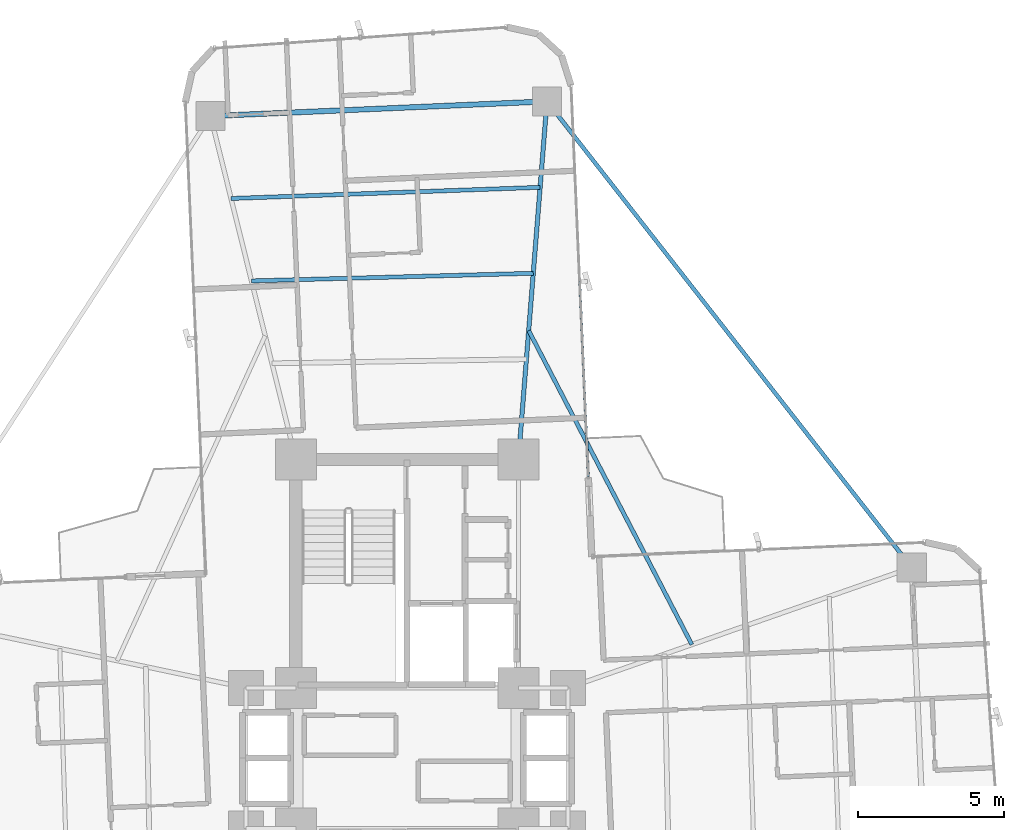
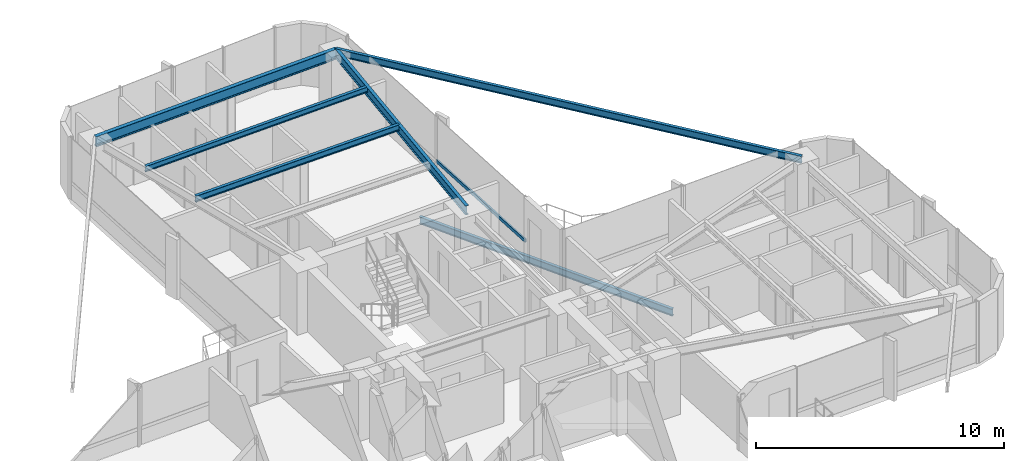
# One storey, part 18 of 27: 6 beams, 1 member, 1 element without a shape of its own.
"""IFC4 building model written with IfcOpenShell, lengths in metres."""

from ifc_helpers import new_model, si_unit, direction, frame, origin, origin_2d, place, context, subcontext, project, spatial, hollow_rectangle, i_section, extrude, source, transform, mapped, material, material_profile, profile_set, type_object, element, aggregate, save


model = new_model("IFC4")

# Units and contexts
model_context = context("Model", 3, precision=1e-05, world=origin(), true_north=direction((0.0, 1.0)))
body_context = subcontext(model_context, "Body", "Model", "MODEL_VIEW")
ifc_project = project(units=[si_unit("LENGTHUNIT", "METRE"), si_unit("AREAUNIT", "SQUARE_METRE"), si_unit("VOLUMEUNIT", "CUBIC_METRE"), si_unit("PLANEANGLEUNIT", "RADIAN"), si_unit("MASSUNIT", "GRAM", prefix="KILO")], contexts=[model_context])

# Site, building, storey
site_placement = place(None, origin())
site = spatial("IfcSite", under=ifc_project, at=site_placement, CompositionType="ELEMENT")
building_placement = place(site_placement, origin())
building = spatial("IfcBuilding", under=site, at=building_placement, Name="Sahyath Konkavel Grand Hotel", CompositionType="ELEMENT")
storey_placement = place(building_placement, frame((0.0, 0.0, 103.60009765625)))
storey = spatial("IfcBuildingStorey", under=building, at=storey_placement, Name="L28", CompositionType="ELEMENT", Elevation=103.60009765625)

# Beams
ifc_material_1 = material(Name="Steel E350", Category="steel")
ifc_material_profile_1 = material_profile(ifc_material_1, i_section(OverallWidth=0.14990234375, OverallDepth=0.449951171875, WebThickness=0.009521484375, FlangeThickness=0.017333984375, FilletRadius=0.014892578125, at=origin_2d()), Name="ISMB 450")
ifc_profile_set_1 = profile_set([ifc_material_profile_1], Name="Steel E350")
beam_type_1 = type_object("IfcBeamType", Name="BM-ISMB450", PredefinedType="BEAM", material=ifc_profile_set_1)
shared_shape_1 = source(origin(), body_context, "Body", "SweptSolid", [
    extrude(i_section(OverallWidth=0.14990234375, OverallDepth=0.449951171875, WebThickness=0.009521484375, FlangeThickness=0.017333984375, FilletRadius=0.014892578125, at=origin_2d()), origin(), (0.0, 0.0, 1.0), 12.2685546875),
])
beam_1_placement = place(storey_placement, frame((3.800048828125, 10.199951171875, 2.824951171875), z_axis=(0.079558563357, 0.996830193662, 0.0), x_axis=(-0.996830193662, 0.079558563357, 0.0)))
element("IfcBeam", 1, at=beam_1_placement, inside=storey, type_object=beam_type_1, Name="L28 Cruciform Radial Girder NA", PredefinedType="BEAM", context=body_context, shape_type="MappedRepresentation", body=[
    mapped(shared_shape_1, transform((0.0, 0.0, 0.0), scale=1.0)),
])
ifc_material_profile_2 = material_profile(ifc_material_1, i_section(OverallWidth=0.179931640625, OverallDepth=0.5, WebThickness=0.01025390625, FlangeThickness=0.01708984375, FilletRadius=0.01708984375, at=origin_2d()), Name="ISMB 500")
ifc_profile_set_2 = profile_set([ifc_material_profile_2], Name="Steel E350")
beam_type_2 = type_object("IfcBeamType", Name="BM-ISMB500", PredefinedType="BEAM", material=ifc_profile_set_2)
shared_shape_2 = source(origin(), body_context, "Body", "SweptSolid", [
    extrude(i_section(OverallWidth=0.179931640625, OverallDepth=0.5, WebThickness=0.01025390625, FlangeThickness=0.01708984375, FilletRadius=0.01708984375, at=origin_2d()), origin(), (0.0, 0.0, 1.0), 11.5),
])
beam_2_placement = place(storey_placement, frame((4.776123046875, 22.4296875, 2.7998046875), z_axis=(-0.99904788879, -0.043627008892, 0.0), x_axis=(0.043627008892, -0.99904788879, 0.0)))
element("IfcBeam", 2, at=beam_2_placement, inside=storey, type_object=beam_type_2, Name="L28 Wing Tip Edge Beam N", PredefinedType="BEAM", context=body_context, shape_type="MappedRepresentation", body=[
    mapped(shared_shape_2, transform((0.0, 0.0, 0.0), scale=1.0)),
])
ifc_material_profile_3 = material_profile(ifc_material_1, i_section(OverallWidth=0.139892578125, OverallDepth=0.35009765625, WebThickness=0.008056640625, FlangeThickness=0.01416015625, FilletRadius=0.013916015625, at=origin_2d()), Name="ISMB 350")
ifc_profile_set_3 = profile_set([ifc_material_profile_3], Name="Steel E350")
beam_type_3 = type_object("IfcBeamType", Name="BM-ISMB350", PredefinedType="BEAM", material=ifc_profile_set_3)
shared_shape_3 = source(origin(), body_context, "Body", "SweptSolid", [
    extrude(i_section(OverallWidth=0.139892578125, OverallDepth=0.35009765625, WebThickness=0.008056640625, FlangeThickness=0.01416015625, FilletRadius=0.013916015625, at=origin_2d()), origin(), (0.0, 0.0, 1.0), 20.215576171875),
])
beam_3_placement = place(storey_placement, frame((17.232421875, 6.5078125, 2.875), z_axis=(-0.616176369687, 0.787608203004, 0.0), x_axis=(-0.787608203004, -0.616176369687, 0.0)))
element("IfcBeam", 3, at=beam_3_placement, inside=storey, type_object=beam_type_3, Name="L28 Re-Entrant Tie Beam NE", PredefinedType="BEAM", context=body_context, shape_type="MappedRepresentation", body=[
    mapped(shared_shape_3, transform((0.0, 0.0, 0.0), scale=1.0)),
])
ifc_material_profile_4 = material_profile(ifc_material_1, i_section(OverallWidth=0.139892578125, OverallDepth=0.300048828125, WebThickness=0.0078125, FlangeThickness=0.01318359375, FilletRadius=0.013916015625, at=origin_2d()), Name="ISMB 300")
ifc_profile_set_4 = profile_set([ifc_material_profile_4], Name="Steel E350")
beam_type_4 = type_object("IfcBeamType", Name="BM-ISMB300", PredefinedType="BEAM", material=ifc_profile_set_4)
shared_shape_4 = source(origin(), body_context, "Body", "SweptSolid", [
    extrude(i_section(OverallWidth=0.139892578125, OverallDepth=0.300048828125, WebThickness=0.0078125, FlangeThickness=0.01318359375, FilletRadius=0.013916015625, at=origin_2d()), origin(), (0.0, 0.0, 1.0), 9.625732421875),
])
beam_4_placement = place(storey_placement, frame((4.3076171875, 16.559326171875, 2.89990234375), z_axis=(-0.999633060528, -0.027087714933, 0.0), x_axis=(0.027087714933, -0.999633060528, 0.0)))
element("IfcBeam", 4, at=beam_4_placement, inside=storey, type_object=beam_type_4, Name="L28 Secondary Floor Beam N-2", PredefinedType="BEAM", context=body_context, shape_type="MappedRepresentation", body=[
    mapped(shared_shape_4, transform((0.0, 0.0, 0.0), scale=1.0)),
])
ifc_material_profile_5 = material_profile(ifc_material_1, i_section(OverallWidth=0.139892578125, OverallDepth=0.27490234375, WebThickness=0.00634765625, FlangeThickness=0.0087890625, FilletRadius=0.012939453125, at=origin_2d()), Name="ISLB 275")
ifc_profile_set_5 = profile_set([ifc_material_profile_5], Name="Steel E350")
beam_type_5 = type_object("IfcBeamType", Name="BM-ISLB275", PredefinedType="BEAM", material=ifc_profile_set_5)
shared_shape_5 = source(origin(), body_context, "Body", "SweptSolid", [
    extrude(i_section(OverallWidth=0.139892578125, OverallDepth=0.27490234375, WebThickness=0.00634765625, FlangeThickness=0.0087890625, FilletRadius=0.012939453125, at=origin_2d()), origin(), (0.0, 0.0, 1.0), 10.562744140625),
])
beam_5_placement = place(storey_placement, frame((4.5419921875, 19.49462890625, 2.912353515625), z_axis=(-0.999348077295, -0.036102914095, 0.0), x_axis=(0.036102914095, -0.999348077295, 0.0)))
element("IfcBeam", 5, at=beam_5_placement, inside=storey, type_object=beam_type_5, Name="L28 Secondary Floor Beam N-3", PredefinedType="BEAM", context=body_context, shape_type="MappedRepresentation", body=[
    mapped(shared_shape_5, transform((0.0, 0.0, 0.0), scale=1.0)),
])

# Curtain wall, member
ifc_material_2 = material(Name="Anodised Bronze Aluminium & Low-E Glazing", Category="aluminium")
curtain_wall_type = type_object("IfcCurtainWallType", Name="CW-ZONE2", PredefinedType="NOTDEFINED", material=ifc_material_2)
curtain_wall_placement = place(storey_placement, origin())
curtain_wall = element("IfcCurtainWall", 6, at=curtain_wall_placement, inside=storey, type_object=curtain_wall_type, Name="L28 Unitised Curtain Wall F8", PredefinedType="NOTDEFINED")
ifc_material_3 = material(Name="Anodised Bronze Aluminium", Category="aluminium")
ifc_material_profile_6 = material_profile(ifc_material_3, hollow_rectangle(XDim=0.080078125, YDim=0.159912109375, WallThickness=0.006103515625, at=origin_2d()), Name="RHS 160x80x6")
ifc_profile_set_6 = profile_set([ifc_material_profile_6], Name="Anodised Bronze Aluminium")
member_type = type_object("IfcMemberType", Name="CW-TRN-160", PredefinedType="USERDEFINED", material=ifc_profile_set_6)
shared_shape_6 = source(origin(), body_context, "Body", "SweptSolid", [
    extrude(hollow_rectangle(XDim=0.080078125, YDim=0.159912109375, WallThickness=0.006103515625, at=origin_2d()), origin(), (0.0, 0.0, 1.0), 6.66015625),
])
member_placement = place(storey_placement, frame((6.186279296875, 9.618896484375, 0.849853515625), z_axis=(-0.043621753165, 0.999048118286, 0.0), x_axis=(-0.999048118286, -0.043621753165, 0.0)))
member = element("IfcMember", 7, at=member_placement, type_object=member_type, Name="L28 Curtain Wall Transom F8-0-spandrel", ObjectType="TRANSOM", PredefinedType="USERDEFINED", context=body_context, shape_type="MappedRepresentation", body=[
    mapped(shared_shape_6, transform((0.0, 0.0, 0.0), scale=1.0)),
])
aggregate(curtain_wall, [member])

# Beam
ifc_material_profile_7 = material_profile(ifc_material_1, i_section(OverallWidth=0.139892578125, OverallDepth=0.35009765625, WebThickness=0.008056640625, FlangeThickness=0.01416015625, FilletRadius=0.013916015625, at=origin_2d()), Name="ISMB 350")
ifc_profile_set_7 = profile_set([ifc_material_profile_7], Name="Steel E350")
beam_type_6 = type_object("IfcBeamType", Name="BM-BALC-CANT", PredefinedType="BEAM", material=ifc_profile_set_7)
shared_shape_7 = source(origin(), body_context, "Body", "SweptSolid", [
    extrude(i_section(OverallWidth=0.139892578125, OverallDepth=0.35009765625, WebThickness=0.008056640625, FlangeThickness=0.01416015625, FilletRadius=0.013916015625, at=origin_2d()), origin(), (0.0, 0.0, 1.0), 12.085205078125),
])
beam_6_placement = place(storey_placement, frame((9.7236328125, 3.87890625, -0.4150390625), z_axis=(-0.461082384626, 0.887357331962, 0.0), x_axis=(-0.887357331962, -0.461082384626, 0.0)))
element("IfcBeam", 8, at=beam_6_placement, inside=storey, type_object=beam_type_6, Name="L28 Balcony Cantilever Support Beam NE", PredefinedType="BEAM", context=body_context, shape_type="MappedRepresentation", body=[
    mapped(shared_shape_7, transform((0.0, 0.0, 0.0), scale=1.0)),
])

save(model, "model.ifc")
